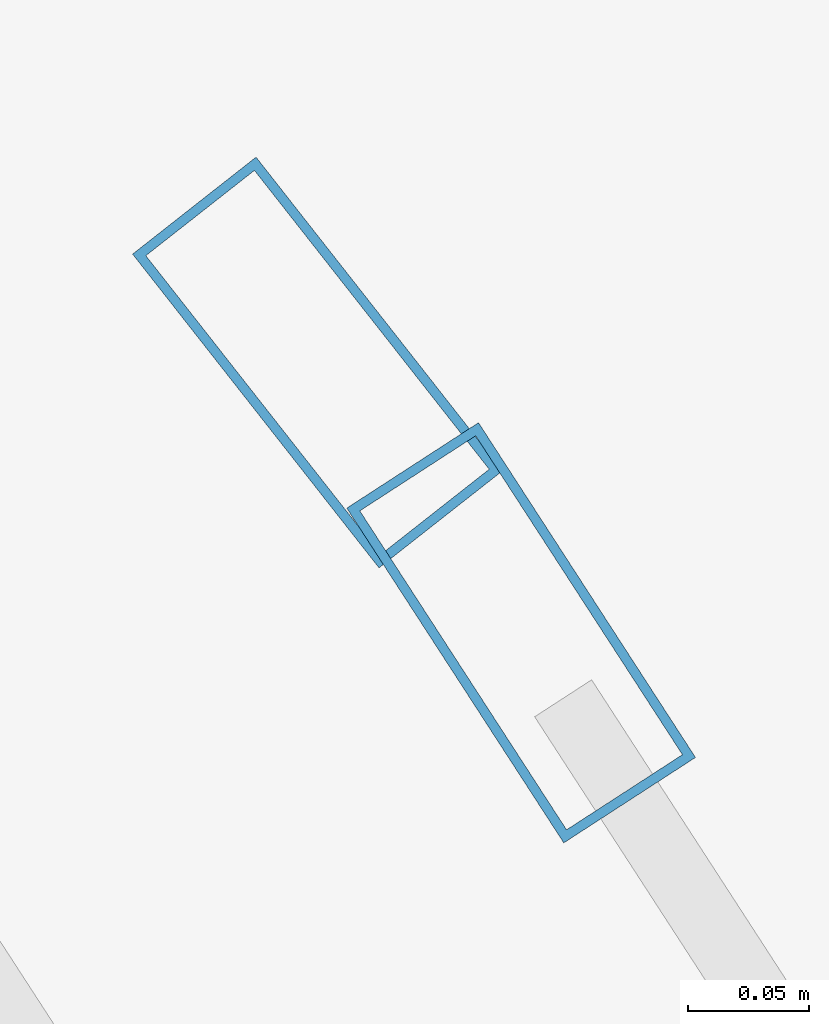
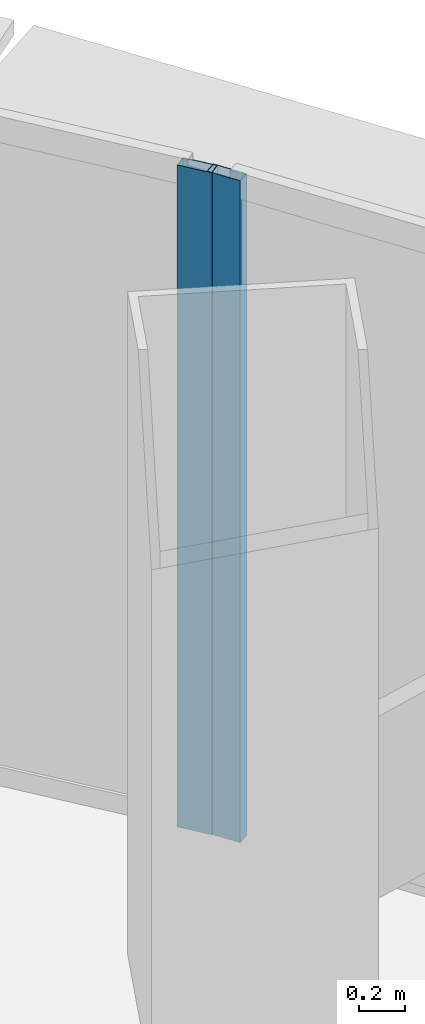
# One storey, part 20 of 41: 2 members, 2 elements without a shape of their own.
"""IFC4 building model written with IfcOpenShell, lengths in metres."""

from ifc_helpers import new_model, si_unit, direction, frame, origin, origin_2d, place, context, subcontext, project, spatial, hollow_rectangle, extrude, source, transform, mapped, material, layer, layer_set, material_profile, profile_set, type_object, element, aggregate, save


model = new_model("IFC4")

# Units and contexts
model_context = context("Model", 3, precision=1e-05, world=origin(), true_north=direction((0.0, 1.0)))
body_context = subcontext(model_context, "Body", "Model", "MODEL_VIEW")
ifc_project = project(units=[si_unit("LENGTHUNIT", "METRE"), si_unit("AREAUNIT", "SQUARE_METRE"), si_unit("VOLUMEUNIT", "CUBIC_METRE"), si_unit("PLANEANGLEUNIT", "RADIAN"), si_unit("MASSUNIT", "GRAM", prefix="KILO"), si_unit("THERMODYNAMICTEMPERATUREUNIT", "KELVIN"), si_unit("POWERUNIT", "WATT")], contexts=[model_context])

# Site, building, storey
site_placement = place(None, origin())
site = spatial("IfcSite", under=ifc_project, at=site_placement, CompositionType="ELEMENT")
building_placement = place(site_placement, origin())
building = spatial("IfcBuilding", under=site, at=building_placement, Name="Yunzhuo Pagoda Commons", CompositionType="ELEMENT")
storey_placement = place(building_placement, frame((0.0, 0.0, 111.580078125)))
storey = spatial("IfcBuildingStorey", under=building, at=storey_placement, Name="L28", CompositionType="ELEMENT", Elevation=111.580078125)

# Curtain wall, member
ifc_material = material(Name="Anodized aluminium 6063-T6", Category="aluminium")
ifc_layer = layer(ifc_material, 0.1650390625)
ifc_layer_set = layer_set([ifc_layer], Name="Anodized aluminium 6063-T6")
curtain_wall_type = type_object("IfcCurtainWallType", Name="CW-LOW Low-Zone Ribbon Curtain Wall", PredefinedType="NOTDEFINED", material=ifc_layer_set)
curtain_wall_1_placement = place(storey_placement, origin())
curtain_wall_1 = element("IfcCurtainWall", 1, at=curtain_wall_1_placement, inside=storey, type_object=curtain_wall_type, Name="L28 curtain wall CW-L28-F2B4", PredefinedType="NOTDEFINED")
ifc_material_profile = material_profile(ifc_material, hollow_rectangle(XDim=0.06494140625, YDim=0.1650390625, WallThickness=0.00390625, at=origin_2d()), Name="Anodized aluminium 6063-T6")
ifc_profile_set = profile_set([ifc_material_profile], Name="Anodized aluminium 6063-T6")
member_type = type_object("IfcMemberType", Name="CW-LOW-M Mullion RHS 165x65x4", PredefinedType="MULLION", material=ifc_profile_set)
shared_shape = source(origin(), body_context, "Body", "SweptSolid", [
    extrude(hollow_rectangle(XDim=0.06494140625, YDim=0.1650390625, WallThickness=0.00390625, at=origin_2d()), origin(), (0.0, 0.0, 1.0), 3.5400390625),
])
member_1_placement = place(storey_placement, frame((64.520263671875, 70.737548828125, 0.0), z_axis=(0.0, 0.0, 1.0), x_axis=(-0.839105842503, -0.543968183884, 0.0)))
member_1 = element("IfcMember", 2, at=member_1_placement, type_object=member_type, Name="CW mullion 2", PredefinedType="MULLION", context=body_context, shape_type="MappedRepresentation", body=[
    mapped(shared_shape, transform((0.0, 0.0, 0.0), scale=1.0)),
])
aggregate(curtain_wall_1, [member_1])

curtain_wall_2_placement = place(storey_placement, origin())
curtain_wall_2 = element("IfcCurtainWall", 3, at=curtain_wall_2_placement, inside=storey, type_object=curtain_wall_type, Name="L28 curtain wall CW-L28-F2B5", PredefinedType="NOTDEFINED")
member_2_placement = place(storey_placement, frame((64.43603515625, 70.849365234375, 0.0), z_axis=(0.0, 0.0, 1.0), x_axis=(-0.786392055703, -0.617727718925, 0.0)))
member_2 = element("IfcMember", 4, at=member_2_placement, type_object=member_type, Name="CW mullion 1", PredefinedType="MULLION", context=body_context, shape_type="MappedRepresentation", body=[
    mapped(shared_shape, transform((0.0, 0.0, 0.0), scale=1.0)),
])
aggregate(curtain_wall_2, [member_2])

save(model, "model.ifc")
